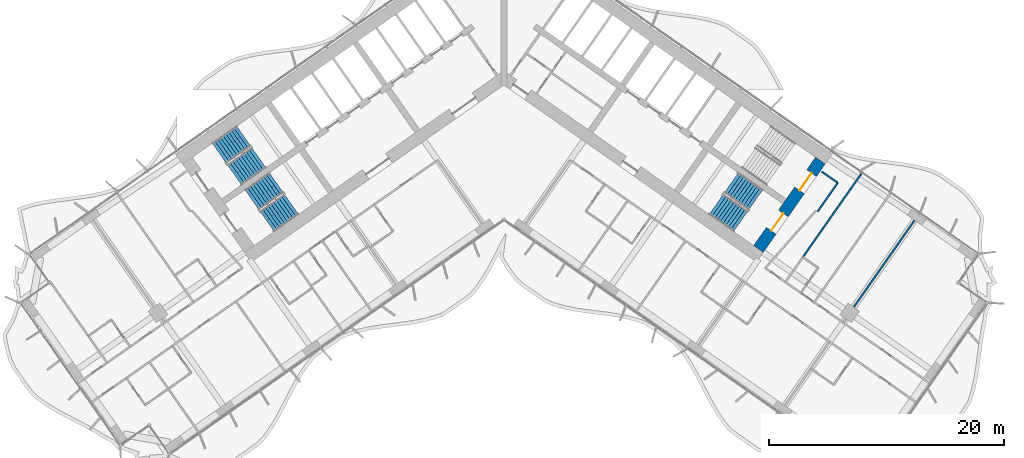
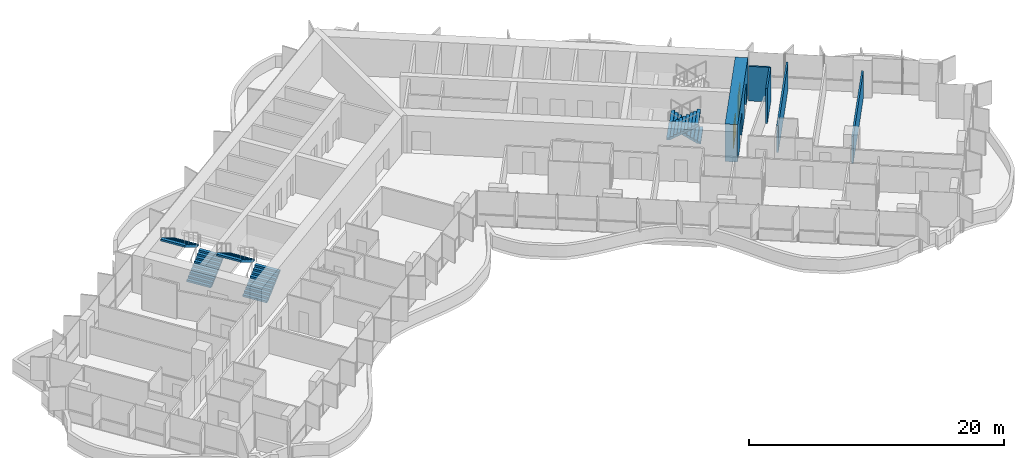
# One storey, part 16 of 23: 6 stair flights, 5 walls, 2 doors, 2 openings, 3 elements without a shape of their own.
"""IFC4 building model written with IfcOpenShell, lengths in metres."""

from ifc_helpers import new_model, si_unit, direction, frame, frame_2d, origin, place, context, subcontext, project, spatial, polyline, rectangle, outline, extrude, material, layer, layer_set, type_object, element, fill, aggregate, save


model = new_model("IFC4")

# Units and contexts
model_context = context("Model", 3, precision=1e-05, world=origin(), true_north=direction((0.0, 1.0)))
body_context = subcontext(model_context, "Body", "Model", "MODEL_VIEW")
ifc_project = project(units=[si_unit("LENGTHUNIT", "METRE"), si_unit("AREAUNIT", "SQUARE_METRE"), si_unit("VOLUMEUNIT", "CUBIC_METRE"), si_unit("PLANEANGLEUNIT", "RADIAN"), si_unit("MASSUNIT", "GRAM", prefix="KILO")], contexts=[model_context])

# Site, building, storey
site_placement = place(None, origin())
site = spatial("IfcSite", under=ifc_project, at=site_placement, CompositionType="ELEMENT")
building_placement = place(site_placement, origin())
building = spatial("IfcBuilding", under=site, at=building_placement, Name="Tel Ilan Convention Tower", CompositionType="ELEMENT")
storey_placement = place(building_placement, frame((0.0, 0.0, 104.89990234375)))
storey = spatial("IfcBuildingStorey", under=building, at=storey_placement, Name="L22", CompositionType="ELEMENT", Elevation=104.89990234375)

# Wall, openings, doors
ifc_material_1 = material(Name="Concrete C60/75", Category="concrete")
ifc_layer_1 = layer(ifc_material_1, 1.0)
ifc_layer_set_1 = layer_set([ifc_layer_1], Name="Core Shear Wall 1000 mm C60/75")
wall_type_1 = type_object("IfcWallType", Name="Core Shear Wall 1000 mm C60/75", PredefinedType="SHEAR", material=ifc_layer_set_1)
wall_1_placement = place(storey_placement, frame((21.70751953125, -15.19970703125, 0.0), z_axis=(0.0, 0.0, 1.0), x_axis=(0.573576324356, 0.819152122709, 0.0)))
wall_1 = element("IfcWall", 1, at=wall_1_placement, inside=storey, type_object=wall_type_1, Name="L22 core wall E-end", PredefinedType="SHEAR", context=body_context, shape_type="SweptSolid", body=[
    extrude(outline(polyline([(9.199951171875, 0.5), (0.0, 0.5), (0.0, -0.5), (9.199951171875, -0.5), (9.199951171875, 0.5)])), origin(), (0.0, 0.0, 1.0), 3.60009765625),
])
opening_1_placement = place(wall_1_placement, frame((6.10009765625, 0.0, 0.0)))
opening_1 = element("IfcOpeningElement", 2, at=opening_1_placement, cuts=wall_1, Name="Opening SD1903", PredefinedType="OPENING", context=body_context, shape_type="SweptSolid", body=[
    extrude(rectangle(XDim=1.800048828125, YDim=2.10009765625, at=frame_2d((0.89990234375, 1.050048828125))), frame((0.0, 0.510009765625, 0.0), z_axis=(0.0, -1.0, 0.0), x_axis=(1.0, 0.0, 0.0)), (0.0, 0.0, 1.0), 1.02001953125),
])
opening_2_placement = place(wall_1_placement, frame((1.89990234375, 0.0, 0.0)))
opening_2 = element("IfcOpeningElement", 3, at=opening_2_placement, cuts=wall_1, Name="Opening SD1904", PredefinedType="OPENING", context=body_context, shape_type="SweptSolid", body=[
    extrude(rectangle(XDim=1.800048828125, YDim=2.10009765625, at=frame_2d((0.89990234375, 1.050048828125))), frame((0.0, 0.510009765625, 0.0), z_axis=(0.0, -1.0, 0.0), x_axis=(1.0, 0.0, 0.0)), (0.0, 0.0, 1.0), 1.02001953125),
])
ifc_material_2 = material(Name="Galvanised Steel Door Leaf", Category="steel")
door_type = type_object("IfcDoorType", Name="Stair Fire Door 1800 x 2100 FD60S", OperationType="NOTDEFINED", PredefinedType="DOOR", material=ifc_material_2)
door_1_placement = place(opening_1_placement, origin())
door_1 = element("IfcDoor", 4, at=door_1_placement, inside=storey, type_object=door_type, Name="Stair S3 door", OperationType="DOUBLE_DOOR_SINGLE_SWING", OverallHeight=2.10009765625, OverallWidth=1.800048828125, PredefinedType="DOOR", context=body_context, shape_type="SweptSolid", body=[
    extrude(rectangle(XDim=1.800048828125, YDim=2.10009765625, at=frame_2d((0.89990234375, 1.050048828125))), frame((0.0, 0.02490234375, 0.0), z_axis=(0.0, -1.0, 0.0), x_axis=(1.0, 0.0, 0.0)), (0.0, 0.0, 1.0), 0.050048828125),
])
fill(opening_1, door_1)
door_2_placement = place(opening_2_placement, origin())
door_2 = element("IfcDoor", 5, at=door_2_placement, inside=storey, type_object=door_type, Name="Stair S4 door", OperationType="DOUBLE_DOOR_SINGLE_SWING", OverallHeight=2.10009765625, OverallWidth=1.800048828125, PredefinedType="DOOR", context=body_context, shape_type="SweptSolid", body=[
    extrude(rectangle(XDim=1.800048828125, YDim=2.10009765625, at=frame_2d((0.89990234375, 1.050048828125))), frame((0.0, 0.02490234375, 0.0), z_axis=(0.0, -1.0, 0.0), x_axis=(1.0, 0.0, 0.0)), (0.0, 0.0, 1.0), 0.050048828125),
])
fill(opening_2, door_2)

# Walls
ifc_material_3 = material(Name="Plasterboard on Steel Studs", Category="steel")
ifc_layer_2 = layer(ifc_material_3, 0.14990234375)
ifc_layer_set_2 = layer_set([ifc_layer_2], Name="Fire-rated Partition 150 EI 60")
wall_type_2 = type_object("IfcWallType", Name="Fire-rated Partition 150 EI 60", PredefinedType="PARTITIONING", material=ifc_layer_set_2)
wall_2_placement = place(storey_placement, frame((30.482421875, -8.77001953125, 0.0), z_axis=(0.0, 0.0, 1.0), x_axis=(-0.573579093502, -0.819150183725, 0.0)))
element("IfcWall", 6, at=wall_2_placement, inside=storey, type_object=wall_type_2, Name="Partition 034", PredefinedType="PARTITIONING", context=body_context, shape_type="SweptSolid", body=[
    extrude(rectangle(XDim=8.700927734375, YDim=0.14990234375, at=frame_2d((4.3505859375, 0.0))), origin(), (0.0, 0.0, 1.0), 2.60009765625),
])
wall_3_placement = place(storey_placement, frame((26.74609375, -12.013671875, 0.0), z_axis=(0.0, 0.0, 1.0), x_axis=(0.573560650686, 0.819163097304, 0.0)))
element("IfcWall", 7, at=wall_3_placement, inside=storey, type_object=wall_type_2, Name="Partition 037", PredefinedType="PARTITIONING", context=body_context, shape_type="SweptSolid", body=[
    extrude(rectangle(XDim=3.0, YDim=0.14990234375, at=frame_2d((1.5, 0.0))), origin(), (0.0, 0.0, 1.0), 3.320068359375),
])
wall_4_placement = place(storey_placement, frame((28.466796875, -9.55615234375, 0.0), z_axis=(0.0, 0.0, 1.0), x_axis=(-0.819109000826, 0.573637903879, 0.0)))
element("IfcWall", 8, at=wall_4_placement, inside=storey, type_object=wall_type_2, Name="Partition 038", PredefinedType="PARTITIONING", context=body_context, shape_type="SweptSolid", body=[
    extrude(rectangle(XDim=1.679931640625, YDim=0.14990234375, at=frame_2d((0.83984375, 0.0))), origin(), (0.0, 0.0, 1.0), 3.320068359375),
])
wall_5_placement = place(storey_placement, frame((35.012939453125, -12.76025390625, 0.0), z_axis=(0.0, 0.0, 1.0), x_axis=(-0.573558725113, -0.819164445546, 0.0)))
element("IfcWall", 9, at=wall_5_placement, inside=storey, type_object=wall_type_2, Name="Partition 042", PredefinedType="PARTITIONING", context=body_context, shape_type="SweptSolid", body=[
    extrude(rectangle(XDim=9.010009765625, YDim=0.14990234375, at=frame_2d((4.5048828125, 0.0))), origin(), (0.0, 0.0, 1.0), 2.60009765625),
])

# Stair, stair flights
ifc_material_4 = material(Name="Concrete C40/50", Category="concrete")
stair_type = type_object("IfcStairType", Name="Pressurised Exit Stair 20 risers 180 mm", PredefinedType="HALF_TURN_STAIR", material=ifc_material_4)
stair_1_placement = place(storey_placement, origin())
stair_1 = element("IfcStair", 10, at=stair_1_placement, inside=storey, type_object=stair_type, Name="L22 Pressurised Stair S1", PredefinedType="HALF_TURN_STAIR")
ifc_material_5 = material(Name="Precast Concrete C40/50", Category="concrete")
stair_flight_type = type_object("IfcStairFlightType", Name="Concrete Stair Flight 2100 mm 20 risers 180 mm", PredefinedType="STRAIGHT", material=ifc_material_5)
stair_flight_1_placement = place(storey_placement, frame((-22.9619140625, -8.87548828125, 0.0), z_axis=(0.0, 0.0, 1.0), x_axis=(0.819152044289, 0.573576436351, 0.0)))
stair_flight_1 = element("IfcStairFlight", 11, at=stair_flight_1_placement, type_object=stair_flight_type, Name="S1 flight 1", NumberOfRisers=10, NumberOfTreads=9, PredefinedType="STRAIGHT", RiserHeight=0.18, TreadLength=0.28, context=body_context, shape_type="SweptSolid", body=[
    extrude(outline(polyline([(0.0, 0.0), (0.0, 0.179931640625), (0.280029296875, 0.179931640625), (0.280029296875, 0.360107421875), (0.56005859375, 0.360107421875), (0.56005859375, 0.5400390625), (0.840087890625, 0.5400390625), (0.840087890625, 0.719970703125), (1.1201171875, 0.719970703125), (1.1201171875, 0.89990234375), (1.39990234375, 0.89990234375), (1.39990234375, 1.080078125), (1.679931640625, 1.080078125), (1.679931640625, 1.260009765625), (1.9599609375, 1.260009765625), (1.9599609375, 1.43994140625), (2.239990234375, 1.43994140625), (2.239990234375, 1.6201171875), (2.52001953125, 1.6201171875), (2.52001953125, 1.800048828125), (2.52001953125, 1.44189453125), (0.277099609375, 0.0), (0.0, 0.0)])), frame((0.0, -0.100341796875, 0.0), z_axis=(0.0, -1.0, 0.0), x_axis=(1.0, 0.0, 0.0)), (0.0, 0.0, 1.0), 0.94970703125),
    extrude(outline(polyline([(0.0, 0.0), (0.0, 0.179931640625), (0.280029296875, 0.179931640625), (0.280029296875, 0.360107421875), (0.56005859375, 0.360107421875), (0.56005859375, 0.5400390625), (0.840087890625, 0.5400390625), (0.840087890625, 0.719970703125), (1.1201171875, 0.719970703125), (1.1201171875, 0.89990234375), (1.39990234375, 0.89990234375), (1.39990234375, 1.080078125), (1.679931640625, 1.080078125), (1.679931640625, 1.260009765625), (1.9599609375, 1.260009765625), (1.9599609375, 1.43994140625), (2.239990234375, 1.43994140625), (2.239990234375, 1.6201171875), (2.52001953125, 1.6201171875), (2.52001953125, 1.800048828125), (2.52001953125, 1.44189453125), (0.277099609375, 0.0), (0.0, 0.0)])), frame((0.0, -0.000244140625, 0.0), z_axis=(0.0, -1.0, 0.0), x_axis=(1.0, 0.0, 0.0)), (0.0, 0.0, 1.0), 0.099609375),
    extrude(outline(polyline([(0.0, 0.0), (0.0, 0.179931640625), (0.280029296875, 0.179931640625), (0.280029296875, 0.360107421875), (0.56005859375, 0.360107421875), (0.56005859375, 0.5400390625), (0.840087890625, 0.5400390625), (0.840087890625, 0.719970703125), (1.1201171875, 0.719970703125), (1.1201171875, 0.89990234375), (1.39990234375, 0.89990234375), (1.39990234375, 1.080078125), (1.679931640625, 1.080078125), (1.679931640625, 1.260009765625), (1.9599609375, 1.260009765625), (1.9599609375, 1.43994140625), (2.239990234375, 1.43994140625), (2.239990234375, 1.6201171875), (2.52001953125, 1.6201171875), (2.52001953125, 1.800048828125), (2.52001953125, 1.44189453125), (0.277099609375, 0.0), (0.0, 0.0)])), frame((0.0, 0.099853515625, 0.0), z_axis=(0.0, -1.0, 0.0), x_axis=(1.0, 0.0, 0.0)), (0.0, 0.0, 1.0), 0.099609375),
    extrude(outline(polyline([(0.0, 0.0), (0.0, 0.179931640625), (0.280029296875, 0.179931640625), (0.280029296875, 0.360107421875), (0.56005859375, 0.360107421875), (0.56005859375, 0.5400390625), (0.840087890625, 0.5400390625), (0.840087890625, 0.719970703125), (1.1201171875, 0.719970703125), (1.1201171875, 0.89990234375), (1.39990234375, 0.89990234375), (1.39990234375, 1.080078125), (1.679931640625, 1.080078125), (1.679931640625, 1.260009765625), (1.9599609375, 1.260009765625), (1.9599609375, 1.43994140625), (2.239990234375, 1.43994140625), (2.239990234375, 1.6201171875), (2.52001953125, 1.6201171875), (2.52001953125, 1.800048828125), (2.52001953125, 1.44189453125), (0.277099609375, 0.0), (0.0, 0.0)])), frame((0.0, 1.050048828125, 0.0), z_axis=(0.0, -1.0, 0.0), x_axis=(1.0, 0.0, 0.0)), (0.0, 0.0, 1.0), 0.94970703125),
])
stair_flight_2_placement = place(storey_placement, frame((-22.188232421875, -5.5869140625, 1.800048828125), z_axis=(0.0, 0.0, 1.0), x_axis=(-0.819152044289, -0.573576436351, 0.0)))
stair_flight_2 = element("IfcStairFlight", 12, at=stair_flight_2_placement, type_object=stair_flight_type, Name="S1 flight 2", NumberOfRisers=10, NumberOfTreads=9, PredefinedType="STRAIGHT", RiserHeight=0.18, TreadLength=0.28, context=body_context, shape_type="SweptSolid", body=[
    extrude(outline(polyline([(0.0, 0.0), (0.0, 0.179931640625), (0.280029296875, 0.179931640625), (0.280029296875, 0.360107421875), (0.56005859375, 0.360107421875), (0.56005859375, 0.5400390625), (0.840087890625, 0.5400390625), (0.840087890625, 0.719970703125), (1.1201171875, 0.719970703125), (1.1201171875, 0.89990234375), (1.39990234375, 0.89990234375), (1.39990234375, 1.080078125), (1.679931640625, 1.080078125), (1.679931640625, 1.260009765625), (1.9599609375, 1.260009765625), (1.9599609375, 1.43994140625), (2.239990234375, 1.43994140625), (2.239990234375, 1.6201171875), (2.52001953125, 1.6201171875), (2.52001953125, 1.800048828125), (2.52001953125, 1.44189453125), (0.277099609375, 0.0), (0.0, 0.0)])), frame((0.0, -0.100341796875, 0.0), z_axis=(0.0, -1.0, 0.0), x_axis=(1.0, 0.0, 0.0)), (0.0, 0.0, 1.0), 0.94970703125),
    extrude(outline(polyline([(0.0, 0.0), (0.0, 0.179931640625), (0.280029296875, 0.179931640625), (0.280029296875, 0.360107421875), (0.56005859375, 0.360107421875), (0.56005859375, 0.5400390625), (0.840087890625, 0.5400390625), (0.840087890625, 0.719970703125), (1.1201171875, 0.719970703125), (1.1201171875, 0.89990234375), (1.39990234375, 0.89990234375), (1.39990234375, 1.080078125), (1.679931640625, 1.080078125), (1.679931640625, 1.260009765625), (1.9599609375, 1.260009765625), (1.9599609375, 1.43994140625), (2.239990234375, 1.43994140625), (2.239990234375, 1.6201171875), (2.52001953125, 1.6201171875), (2.52001953125, 1.800048828125), (2.52001953125, 1.44189453125), (0.277099609375, 0.0), (0.0, 0.0)])), frame((0.0, -0.000244140625, 0.0), z_axis=(0.0, -1.0, 0.0), x_axis=(1.0, 0.0, 0.0)), (0.0, 0.0, 1.0), 0.099609375),
    extrude(outline(polyline([(0.0, 0.0), (0.0, 0.179931640625), (0.280029296875, 0.179931640625), (0.280029296875, 0.360107421875), (0.56005859375, 0.360107421875), (0.56005859375, 0.5400390625), (0.840087890625, 0.5400390625), (0.840087890625, 0.719970703125), (1.1201171875, 0.719970703125), (1.1201171875, 0.89990234375), (1.39990234375, 0.89990234375), (1.39990234375, 1.080078125), (1.679931640625, 1.080078125), (1.679931640625, 1.260009765625), (1.9599609375, 1.260009765625), (1.9599609375, 1.43994140625), (2.239990234375, 1.43994140625), (2.239990234375, 1.6201171875), (2.52001953125, 1.6201171875), (2.52001953125, 1.800048828125), (2.52001953125, 1.44189453125), (0.277099609375, 0.0), (0.0, 0.0)])), frame((0.0, 0.099853515625, 0.0), z_axis=(0.0, -1.0, 0.0), x_axis=(1.0, 0.0, 0.0)), (0.0, 0.0, 1.0), 0.099609375),
    extrude(outline(polyline([(0.0, 0.0), (0.0, 0.179931640625), (0.280029296875, 0.179931640625), (0.280029296875, 0.360107421875), (0.56005859375, 0.360107421875), (0.56005859375, 0.5400390625), (0.840087890625, 0.5400390625), (0.840087890625, 0.719970703125), (1.1201171875, 0.719970703125), (1.1201171875, 0.89990234375), (1.39990234375, 0.89990234375), (1.39990234375, 1.080078125), (1.679931640625, 1.080078125), (1.679931640625, 1.260009765625), (1.9599609375, 1.260009765625), (1.9599609375, 1.43994140625), (2.239990234375, 1.43994140625), (2.239990234375, 1.6201171875), (2.52001953125, 1.6201171875), (2.52001953125, 1.800048828125), (2.52001953125, 1.44189453125), (0.277099609375, 0.0), (0.0, 0.0)])), frame((0.0, 1.050048828125, 0.0), z_axis=(0.0, -1.0, 0.0), x_axis=(1.0, 0.0, 0.0)), (0.0, 0.0, 1.0), 0.94970703125),
])
aggregate(stair_1, [stair_flight_1, stair_flight_2])

stair_2_placement = place(storey_placement, origin())
stair_2 = element("IfcStair", 13, at=stair_2_placement, inside=storey, type_object=stair_type, Name="L22 Pressurised Stair S2", PredefinedType="HALF_TURN_STAIR")
stair_flight_3_placement = place(storey_placement, frame((-20.179931640625, -12.848388671875, 0.0), z_axis=(0.0, 0.0, 1.0), x_axis=(0.819152044289, 0.573576436351, 0.0)))
stair_flight_3 = element("IfcStairFlight", 14, at=stair_flight_3_placement, type_object=stair_flight_type, Name="S2 flight 1", NumberOfRisers=10, NumberOfTreads=9, PredefinedType="STRAIGHT", RiserHeight=0.18, TreadLength=0.28, context=body_context, shape_type="SweptSolid", body=[
    extrude(outline(polyline([(0.0, 0.0), (0.0, 0.179931640625), (0.280029296875, 0.179931640625), (0.280029296875, 0.360107421875), (0.56005859375, 0.360107421875), (0.56005859375, 0.5400390625), (0.840087890625, 0.5400390625), (0.840087890625, 0.719970703125), (1.1201171875, 0.719970703125), (1.1201171875, 0.89990234375), (1.39990234375, 0.89990234375), (1.39990234375, 1.080078125), (1.679931640625, 1.080078125), (1.679931640625, 1.260009765625), (1.9599609375, 1.260009765625), (1.9599609375, 1.43994140625), (2.239990234375, 1.43994140625), (2.239990234375, 1.6201171875), (2.52001953125, 1.6201171875), (2.52001953125, 1.800048828125), (2.52001953125, 1.44189453125), (0.277099609375, 0.0), (0.0, 0.0)])), frame((0.0, -0.100341796875, 0.0), z_axis=(0.0, -1.0, 0.0), x_axis=(1.0, 0.0, 0.0)), (0.0, 0.0, 1.0), 0.94970703125),
    extrude(outline(polyline([(0.0, 0.0), (0.0, 0.179931640625), (0.280029296875, 0.179931640625), (0.280029296875, 0.360107421875), (0.56005859375, 0.360107421875), (0.56005859375, 0.5400390625), (0.840087890625, 0.5400390625), (0.840087890625, 0.719970703125), (1.1201171875, 0.719970703125), (1.1201171875, 0.89990234375), (1.39990234375, 0.89990234375), (1.39990234375, 1.080078125), (1.679931640625, 1.080078125), (1.679931640625, 1.260009765625), (1.9599609375, 1.260009765625), (1.9599609375, 1.43994140625), (2.239990234375, 1.43994140625), (2.239990234375, 1.6201171875), (2.52001953125, 1.6201171875), (2.52001953125, 1.800048828125), (2.52001953125, 1.44189453125), (0.277099609375, 0.0), (0.0, 0.0)])), frame((0.0, -0.000244140625, 0.0), z_axis=(0.0, -1.0, 0.0), x_axis=(1.0, 0.0, 0.0)), (0.0, 0.0, 1.0), 0.099609375),
    extrude(outline(polyline([(0.0, 0.0), (0.0, 0.179931640625), (0.280029296875, 0.179931640625), (0.280029296875, 0.360107421875), (0.56005859375, 0.360107421875), (0.56005859375, 0.5400390625), (0.840087890625, 0.5400390625), (0.840087890625, 0.719970703125), (1.1201171875, 0.719970703125), (1.1201171875, 0.89990234375), (1.39990234375, 0.89990234375), (1.39990234375, 1.080078125), (1.679931640625, 1.080078125), (1.679931640625, 1.260009765625), (1.9599609375, 1.260009765625), (1.9599609375, 1.43994140625), (2.239990234375, 1.43994140625), (2.239990234375, 1.6201171875), (2.52001953125, 1.6201171875), (2.52001953125, 1.800048828125), (2.52001953125, 1.44189453125), (0.277099609375, 0.0), (0.0, 0.0)])), frame((0.0, 0.099853515625, 0.0), z_axis=(0.0, -1.0, 0.0), x_axis=(1.0, 0.0, 0.0)), (0.0, 0.0, 1.0), 0.099609375),
    extrude(outline(polyline([(0.0, 0.0), (0.0, 0.179931640625), (0.280029296875, 0.179931640625), (0.280029296875, 0.360107421875), (0.56005859375, 0.360107421875), (0.56005859375, 0.5400390625), (0.840087890625, 0.5400390625), (0.840087890625, 0.719970703125), (1.1201171875, 0.719970703125), (1.1201171875, 0.89990234375), (1.39990234375, 0.89990234375), (1.39990234375, 1.080078125), (1.679931640625, 1.080078125), (1.679931640625, 1.260009765625), (1.9599609375, 1.260009765625), (1.9599609375, 1.43994140625), (2.239990234375, 1.43994140625), (2.239990234375, 1.6201171875), (2.52001953125, 1.6201171875), (2.52001953125, 1.800048828125), (2.52001953125, 1.44189453125), (0.277099609375, 0.0), (0.0, 0.0)])), frame((0.0, 1.050048828125, 0.0), z_axis=(0.0, -1.0, 0.0), x_axis=(1.0, 0.0, 0.0)), (0.0, 0.0, 1.0), 0.94970703125),
])
stair_flight_4_placement = place(storey_placement, frame((-19.40625, -9.559814453125, 1.800048828125), z_axis=(0.0, 0.0, 1.0), x_axis=(-0.819152044289, -0.573576436351, 0.0)))
stair_flight_4 = element("IfcStairFlight", 15, at=stair_flight_4_placement, type_object=stair_flight_type, Name="S2 flight 2", NumberOfRisers=10, NumberOfTreads=9, PredefinedType="STRAIGHT", RiserHeight=0.18, TreadLength=0.28, context=body_context, shape_type="SweptSolid", body=[
    extrude(outline(polyline([(0.0, 0.0), (0.0, 0.179931640625), (0.280029296875, 0.179931640625), (0.280029296875, 0.360107421875), (0.56005859375, 0.360107421875), (0.56005859375, 0.5400390625), (0.840087890625, 0.5400390625), (0.840087890625, 0.719970703125), (1.1201171875, 0.719970703125), (1.1201171875, 0.89990234375), (1.39990234375, 0.89990234375), (1.39990234375, 1.080078125), (1.679931640625, 1.080078125), (1.679931640625, 1.260009765625), (1.9599609375, 1.260009765625), (1.9599609375, 1.43994140625), (2.239990234375, 1.43994140625), (2.239990234375, 1.6201171875), (2.52001953125, 1.6201171875), (2.52001953125, 1.800048828125), (2.52001953125, 1.44189453125), (0.277099609375, 0.0), (0.0, 0.0)])), frame((0.0, -0.100341796875, 0.0), z_axis=(0.0, -1.0, 0.0), x_axis=(1.0, 0.0, 0.0)), (0.0, 0.0, 1.0), 0.94970703125),
    extrude(outline(polyline([(0.0, 0.0), (0.0, 0.179931640625), (0.280029296875, 0.179931640625), (0.280029296875, 0.360107421875), (0.56005859375, 0.360107421875), (0.56005859375, 0.5400390625), (0.840087890625, 0.5400390625), (0.840087890625, 0.719970703125), (1.1201171875, 0.719970703125), (1.1201171875, 0.89990234375), (1.39990234375, 0.89990234375), (1.39990234375, 1.080078125), (1.679931640625, 1.080078125), (1.679931640625, 1.260009765625), (1.9599609375, 1.260009765625), (1.9599609375, 1.43994140625), (2.239990234375, 1.43994140625), (2.239990234375, 1.6201171875), (2.52001953125, 1.6201171875), (2.52001953125, 1.800048828125), (2.52001953125, 1.44189453125), (0.277099609375, 0.0), (0.0, 0.0)])), frame((0.0, -0.000244140625, 0.0), z_axis=(0.0, -1.0, 0.0), x_axis=(1.0, 0.0, 0.0)), (0.0, 0.0, 1.0), 0.099609375),
    extrude(outline(polyline([(0.0, 0.0), (0.0, 0.179931640625), (0.280029296875, 0.179931640625), (0.280029296875, 0.360107421875), (0.56005859375, 0.360107421875), (0.56005859375, 0.5400390625), (0.840087890625, 0.5400390625), (0.840087890625, 0.719970703125), (1.1201171875, 0.719970703125), (1.1201171875, 0.89990234375), (1.39990234375, 0.89990234375), (1.39990234375, 1.080078125), (1.679931640625, 1.080078125), (1.679931640625, 1.260009765625), (1.9599609375, 1.260009765625), (1.9599609375, 1.43994140625), (2.239990234375, 1.43994140625), (2.239990234375, 1.6201171875), (2.52001953125, 1.6201171875), (2.52001953125, 1.800048828125), (2.52001953125, 1.44189453125), (0.277099609375, 0.0), (0.0, 0.0)])), frame((0.0, 0.099853515625, 0.0), z_axis=(0.0, -1.0, 0.0), x_axis=(1.0, 0.0, 0.0)), (0.0, 0.0, 1.0), 0.099609375),
    extrude(outline(polyline([(0.0, 0.0), (0.0, 0.179931640625), (0.280029296875, 0.179931640625), (0.280029296875, 0.360107421875), (0.56005859375, 0.360107421875), (0.56005859375, 0.5400390625), (0.840087890625, 0.5400390625), (0.840087890625, 0.719970703125), (1.1201171875, 0.719970703125), (1.1201171875, 0.89990234375), (1.39990234375, 0.89990234375), (1.39990234375, 1.080078125), (1.679931640625, 1.080078125), (1.679931640625, 1.260009765625), (1.9599609375, 1.260009765625), (1.9599609375, 1.43994140625), (2.239990234375, 1.43994140625), (2.239990234375, 1.6201171875), (2.52001953125, 1.6201171875), (2.52001953125, 1.800048828125), (2.52001953125, 1.44189453125), (0.277099609375, 0.0), (0.0, 0.0)])), frame((0.0, 1.050048828125, 0.0), z_axis=(0.0, -1.0, 0.0), x_axis=(1.0, 0.0, 0.0)), (0.0, 0.0, 1.0), 0.94970703125),
])
aggregate(stair_2, [stair_flight_3, stair_flight_4])

stair_3_placement = place(storey_placement, origin())
stair_3 = element("IfcStair", 16, at=stair_3_placement, inside=storey, type_object=stair_type, Name="L22 Pressurised Stair S4", PredefinedType="HALF_TURN_STAIR")
stair_flight_5_placement = place(storey_placement, frame((21.470458984375, -11.00537109375, 0.0), z_axis=(0.0, 0.0, 1.0), x_axis=(-0.819152044289, 0.573576436351, 0.0)))
stair_flight_5 = element("IfcStairFlight", 17, at=stair_flight_5_placement, type_object=stair_flight_type, Name="S4 flight 1", NumberOfRisers=10, NumberOfTreads=9, PredefinedType="STRAIGHT", RiserHeight=0.18, TreadLength=0.28, context=body_context, shape_type="SweptSolid", body=[
    extrude(outline(polyline([(0.0, 0.0), (0.0, 0.179931640625), (0.280029296875, 0.179931640625), (0.280029296875, 0.360107421875), (0.56005859375, 0.360107421875), (0.56005859375, 0.5400390625), (0.840087890625, 0.5400390625), (0.840087890625, 0.719970703125), (1.1201171875, 0.719970703125), (1.1201171875, 0.89990234375), (1.39990234375, 0.89990234375), (1.39990234375, 1.080078125), (1.679931640625, 1.080078125), (1.679931640625, 1.260009765625), (1.9599609375, 1.260009765625), (1.9599609375, 1.43994140625), (2.239990234375, 1.43994140625), (2.239990234375, 1.6201171875), (2.52001953125, 1.6201171875), (2.52001953125, 1.800048828125), (2.52001953125, 1.44189453125), (0.277099609375, 0.0), (0.0, 0.0)])), frame((0.0, -0.100341796875, 0.0), z_axis=(0.0, -1.0, 0.0), x_axis=(1.0, 0.0, 0.0)), (0.0, 0.0, 1.0), 0.94970703125),
    extrude(outline(polyline([(0.0, 0.0), (0.0, 0.179931640625), (0.280029296875, 0.179931640625), (0.280029296875, 0.360107421875), (0.56005859375, 0.360107421875), (0.56005859375, 0.5400390625), (0.840087890625, 0.5400390625), (0.840087890625, 0.719970703125), (1.1201171875, 0.719970703125), (1.1201171875, 0.89990234375), (1.39990234375, 0.89990234375), (1.39990234375, 1.080078125), (1.679931640625, 1.080078125), (1.679931640625, 1.260009765625), (1.9599609375, 1.260009765625), (1.9599609375, 1.43994140625), (2.239990234375, 1.43994140625), (2.239990234375, 1.6201171875), (2.52001953125, 1.6201171875), (2.52001953125, 1.800048828125), (2.52001953125, 1.44189453125), (0.277099609375, 0.0), (0.0, 0.0)])), frame((0.0, -0.000244140625, 0.0), z_axis=(0.0, -1.0, 0.0), x_axis=(1.0, 0.0, 0.0)), (0.0, 0.0, 1.0), 0.099609375),
    extrude(outline(polyline([(0.0, 0.0), (0.0, 0.179931640625), (0.280029296875, 0.179931640625), (0.280029296875, 0.360107421875), (0.56005859375, 0.360107421875), (0.56005859375, 0.5400390625), (0.840087890625, 0.5400390625), (0.840087890625, 0.719970703125), (1.1201171875, 0.719970703125), (1.1201171875, 0.89990234375), (1.39990234375, 0.89990234375), (1.39990234375, 1.080078125), (1.679931640625, 1.080078125), (1.679931640625, 1.260009765625), (1.9599609375, 1.260009765625), (1.9599609375, 1.43994140625), (2.239990234375, 1.43994140625), (2.239990234375, 1.6201171875), (2.52001953125, 1.6201171875), (2.52001953125, 1.800048828125), (2.52001953125, 1.44189453125), (0.277099609375, 0.0), (0.0, 0.0)])), frame((0.0, 0.099853515625, 0.0), z_axis=(0.0, -1.0, 0.0), x_axis=(1.0, 0.0, 0.0)), (0.0, 0.0, 1.0), 0.099609375),
    extrude(outline(polyline([(0.0, 0.0), (0.0, 0.179931640625), (0.280029296875, 0.179931640625), (0.280029296875, 0.360107421875), (0.56005859375, 0.360107421875), (0.56005859375, 0.5400390625), (0.840087890625, 0.5400390625), (0.840087890625, 0.719970703125), (1.1201171875, 0.719970703125), (1.1201171875, 0.89990234375), (1.39990234375, 0.89990234375), (1.39990234375, 1.080078125), (1.679931640625, 1.080078125), (1.679931640625, 1.260009765625), (1.9599609375, 1.260009765625), (1.9599609375, 1.43994140625), (2.239990234375, 1.43994140625), (2.239990234375, 1.6201171875), (2.52001953125, 1.6201171875), (2.52001953125, 1.800048828125), (2.52001953125, 1.44189453125), (0.277099609375, 0.0), (0.0, 0.0)])), frame((0.0, 1.050048828125, 0.0), z_axis=(0.0, -1.0, 0.0), x_axis=(1.0, 0.0, 0.0)), (0.0, 0.0, 1.0), 0.94970703125),
])
stair_flight_6_placement = place(storey_placement, frame((18.11572265625, -11.403076171875, 1.800048828125), z_axis=(0.0, 0.0, 1.0), x_axis=(0.819152044289, -0.573576436351, 0.0)))
stair_flight_6 = element("IfcStairFlight", 18, at=stair_flight_6_placement, type_object=stair_flight_type, Name="S4 flight 2", NumberOfRisers=10, NumberOfTreads=9, PredefinedType="STRAIGHT", RiserHeight=0.18, TreadLength=0.28, context=body_context, shape_type="SweptSolid", body=[
    extrude(outline(polyline([(0.0, 0.0), (0.0, 0.179931640625), (0.280029296875, 0.179931640625), (0.280029296875, 0.360107421875), (0.56005859375, 0.360107421875), (0.56005859375, 0.5400390625), (0.840087890625, 0.5400390625), (0.840087890625, 0.719970703125), (1.1201171875, 0.719970703125), (1.1201171875, 0.89990234375), (1.39990234375, 0.89990234375), (1.39990234375, 1.080078125), (1.679931640625, 1.080078125), (1.679931640625, 1.260009765625), (1.9599609375, 1.260009765625), (1.9599609375, 1.43994140625), (2.239990234375, 1.43994140625), (2.239990234375, 1.6201171875), (2.52001953125, 1.6201171875), (2.52001953125, 1.800048828125), (2.52001953125, 1.44189453125), (0.277099609375, 0.0), (0.0, 0.0)])), frame((0.0, -0.100341796875, 0.0), z_axis=(0.0, -1.0, 0.0), x_axis=(1.0, 0.0, 0.0)), (0.0, 0.0, 1.0), 0.94970703125),
    extrude(outline(polyline([(0.0, 0.0), (0.0, 0.179931640625), (0.280029296875, 0.179931640625), (0.280029296875, 0.360107421875), (0.56005859375, 0.360107421875), (0.56005859375, 0.5400390625), (0.840087890625, 0.5400390625), (0.840087890625, 0.719970703125), (1.1201171875, 0.719970703125), (1.1201171875, 0.89990234375), (1.39990234375, 0.89990234375), (1.39990234375, 1.080078125), (1.679931640625, 1.080078125), (1.679931640625, 1.260009765625), (1.9599609375, 1.260009765625), (1.9599609375, 1.43994140625), (2.239990234375, 1.43994140625), (2.239990234375, 1.6201171875), (2.52001953125, 1.6201171875), (2.52001953125, 1.800048828125), (2.52001953125, 1.44189453125), (0.277099609375, 0.0), (0.0, 0.0)])), frame((0.0, -0.000244140625, 0.0), z_axis=(0.0, -1.0, 0.0), x_axis=(1.0, 0.0, 0.0)), (0.0, 0.0, 1.0), 0.099609375),
    extrude(outline(polyline([(0.0, 0.0), (0.0, 0.179931640625), (0.280029296875, 0.179931640625), (0.280029296875, 0.360107421875), (0.56005859375, 0.360107421875), (0.56005859375, 0.5400390625), (0.840087890625, 0.5400390625), (0.840087890625, 0.719970703125), (1.1201171875, 0.719970703125), (1.1201171875, 0.89990234375), (1.39990234375, 0.89990234375), (1.39990234375, 1.080078125), (1.679931640625, 1.080078125), (1.679931640625, 1.260009765625), (1.9599609375, 1.260009765625), (1.9599609375, 1.43994140625), (2.239990234375, 1.43994140625), (2.239990234375, 1.6201171875), (2.52001953125, 1.6201171875), (2.52001953125, 1.800048828125), (2.52001953125, 1.44189453125), (0.277099609375, 0.0), (0.0, 0.0)])), frame((0.0, 0.099853515625, 0.0), z_axis=(0.0, -1.0, 0.0), x_axis=(1.0, 0.0, 0.0)), (0.0, 0.0, 1.0), 0.099609375),
    extrude(outline(polyline([(0.0, 0.0), (0.0, 0.179931640625), (0.280029296875, 0.179931640625), (0.280029296875, 0.360107421875), (0.56005859375, 0.360107421875), (0.56005859375, 0.5400390625), (0.840087890625, 0.5400390625), (0.840087890625, 0.719970703125), (1.1201171875, 0.719970703125), (1.1201171875, 0.89990234375), (1.39990234375, 0.89990234375), (1.39990234375, 1.080078125), (1.679931640625, 1.080078125), (1.679931640625, 1.260009765625), (1.9599609375, 1.260009765625), (1.9599609375, 1.43994140625), (2.239990234375, 1.43994140625), (2.239990234375, 1.6201171875), (2.52001953125, 1.6201171875), (2.52001953125, 1.800048828125), (2.52001953125, 1.44189453125), (0.277099609375, 0.0), (0.0, 0.0)])), frame((0.0, 1.050048828125, 0.0), z_axis=(0.0, -1.0, 0.0), x_axis=(1.0, 0.0, 0.0)), (0.0, 0.0, 1.0), 0.94970703125),
])
aggregate(stair_3, [stair_flight_5, stair_flight_6])

save(model, "model.ifc")
